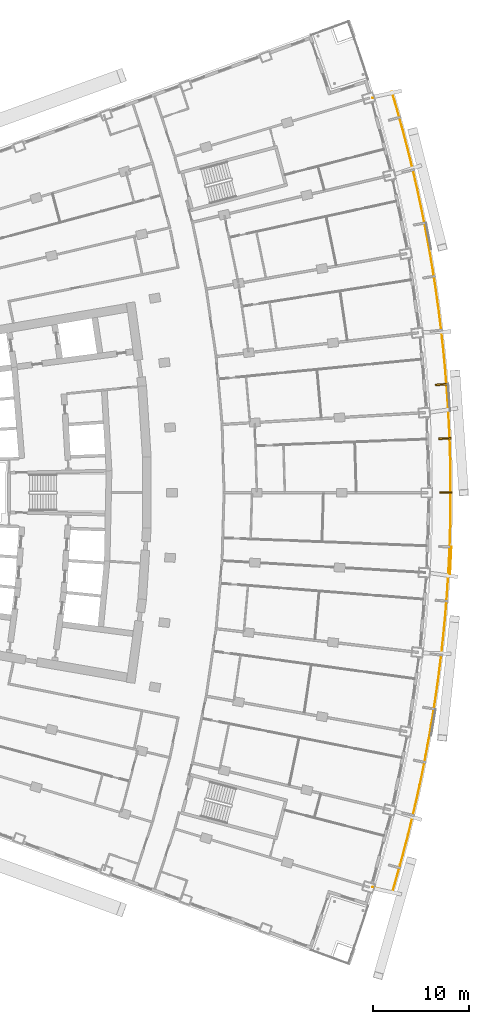
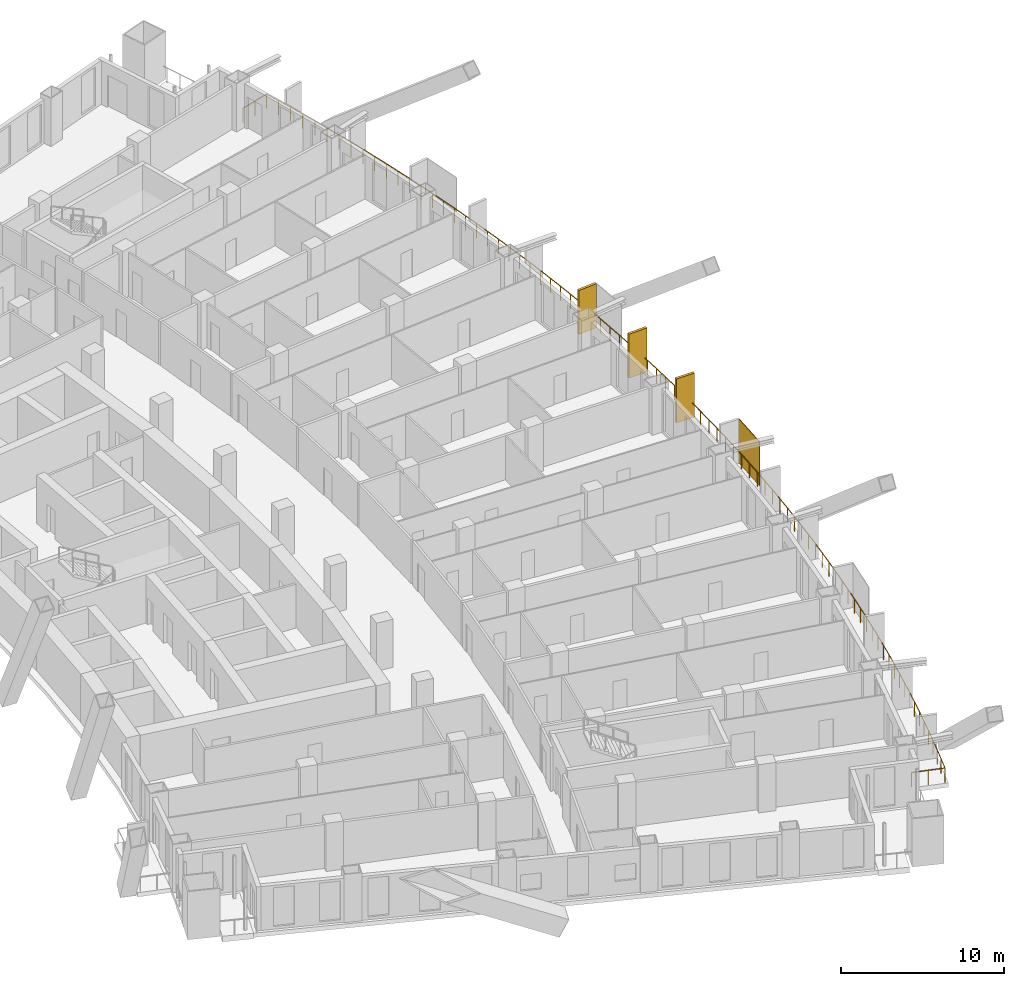
# One storey, part 24 of 25: 4 shading devices, 1 railing.
"""IFC4 building model written with IfcOpenShell, lengths in metres."""

import ifcopenshell
import ifcopenshell.guid

model = None  # the IFC model being written
_history = None  # IfcOwnerHistory: only IFC2X3 demands one
_inside = {}  # id of a spatial element -> (the spatial element, [elements in it])
_under = {}  # id of a project, library or spatial element -> (it, [spatial elements below it])
_declared = {}  # id of a project -> (the project, [libraries it declares])
_typed = {}  # id of a type object -> (the type object, [elements of that type])
_made_of = {}  # id of a material, layer set ... -> (it, [elements and type objects made of it])


def new_model(schema):
    """Start an empty IFC model of exactly this schema.

    Asked for "IFC4X3", IfcOpenShell would pick the latest addendum, in which some entities
    have other attributes; the version numbers below select the first issue.
    IFC2X3 requires an IfcOwnerHistory on every rooted entity: one is made here for all.
    """
    global model, _history
    if schema == "IFC4X3":
        model = ifcopenshell.file(schema_version=(4, 3, 0, 0))
    else:
        model = ifcopenshell.file(schema=schema)
    _inside.clear()
    _under.clear()
    _declared.clear()
    _typed.clear()
    _made_of.clear()
    _history = None
    if model.schema == "IFC2X3":
        org = make("IfcOrganization", Name="unknown")
        user = make(
            "IfcPersonAndOrganization",
            ThePerson=make("IfcPerson", FamilyName="unknown"),
            TheOrganization=org,
        )
        app = make(
            "IfcApplication",
            ApplicationDeveloper=org,
            Version="unknown",
            ApplicationFullName="unknown",
            ApplicationIdentifier="unknown",
        )
        _history = make(
            "IfcOwnerHistory",
            OwningUser=user,
            OwningApplication=app,
            ChangeAction="ADDED",
            CreationDate=0,
        )
    return model


def make(cls, **values):
    """One entity of the class cls with the attributes given. An attribute that is None is left unset."""
    return model.create_entity(
        cls, **{name: value for name, value in values.items() if value is not None}
    )


def rooted(cls, **values):
    """An entity with a GlobalId (a new one), such as an element, a storey or a relation."""
    return make(cls, GlobalId=ifcopenshell.guid.new(), OwnerHistory=_history, **values)


def si_unit(unit_type, name, prefix=None):
    """IfcSIUnit, for example si_unit("LENGTHUNIT", "METRE", prefix="MILLI")."""
    return make("IfcSIUnit", UnitType=unit_type, Prefix=prefix, Name=name)


def assignment(units):
    """IfcUnitAssignment: the units of a project."""
    return None if units is None else make("IfcUnitAssignment", Units=units)


def point(xyz):
    """IfcCartesianPoint."""
    return None if xyz is None else make("IfcCartesianPoint", Coordinates=xyz)


def direction(xyz):
    """IfcDirection."""
    return None if xyz is None else make("IfcDirection", DirectionRatios=xyz)


def frame(location, z_axis=None, x_axis=None):
    """IfcAxis2Placement3D, a coordinate frame: its origin and axes. An axis left out is left unset."""
    return make(
        "IfcAxis2Placement3D",
        Location=point(location),
        Axis=direction(z_axis),
        RefDirection=direction(x_axis),
    )


def frame_2d(location, x_axis=None):
    """IfcAxis2Placement2D, a coordinate frame in the plane: its origin and x axis."""
    return make(
        "IfcAxis2Placement2D", Location=point(location), RefDirection=direction(x_axis)
    )


def origin():
    """The frame at (0, 0, 0) with its axes left unset."""
    return frame((0.0, 0.0, 0.0))


def origin_2d():
    """The frame at (0, 0) in the plane with its x axis left unset."""
    return frame_2d((0.0, 0.0))


def place(relative_to, where):
    """IfcLocalPlacement: puts the frame where relative to a parent placement (None: the world)."""
    return make(
        "IfcLocalPlacement", PlacementRelTo=relative_to, RelativePlacement=where
    )


def context(
    kind, dimensions, precision=None, world=None, true_north=None, identifier=None
):
    """IfcGeometricRepresentationContext, for example the 3D "Model" context."""
    return make(
        "IfcGeometricRepresentationContext",
        ContextIdentifier=identifier,
        ContextType=kind,
        CoordinateSpaceDimension=dimensions,
        Precision=precision,
        WorldCoordinateSystem=world,
        TrueNorth=true_north,
    )


def subcontext(parent, identifier, kind, view, scale=None):
    """IfcGeometricRepresentationSubContext, for example "Body" below "Model"."""
    return make(
        "IfcGeometricRepresentationSubContext",
        ContextIdentifier=identifier,
        ContextType=kind,
        ParentContext=parent,
        TargetScale=scale,
        TargetView=view,
    )


def project(units=None, contexts=None):
    """IfcProject with its units and contexts."""
    return rooted(
        "IfcProject",
        Name="project",
        RepresentationContexts=contexts,
        UnitsInContext=assignment(units),
    )


def spatial(cls, under=None, at=None, **own):
    """A site, building, storey or space (cls), placed at a placement, below another one or the project."""
    s = rooted(cls, ObjectPlacement=at, **own)
    if under is not None:
        _under.setdefault(under.id(), (under, []))[1].append(s)
    return s


def profile(cls, at=None, kind="AREA", **sizes):
    """A parametric profile (cls). Its sizes go by their IFC names, for example OverallWidth=200.0."""
    return make(cls, ProfileType=kind, Position=at, **sizes)


def rectangle(**sizes):
    """IfcRectangleProfileDef."""
    return profile("IfcRectangleProfileDef", **sizes)


def extrude(swept, where, along, depth):
    """IfcExtrudedAreaSolid: the profile swept, set in the frame where, extruded along a direction by depth."""
    return make(
        "IfcExtrudedAreaSolid",
        SweptArea=swept,
        Position=where,
        ExtrudedDirection=direction(along),
        Depth=depth,
    )


def shape(context_of_items, identifier, shape_type, items):
    """IfcShapeRepresentation: the items that make up one representation, for example the "Body"."""
    return make(
        "IfcShapeRepresentation",
        ContextOfItems=context_of_items,
        RepresentationIdentifier=identifier,
        RepresentationType=shape_type,
        Items=items,
    )


def material(Name=None, Category=None):
    """IfcMaterial."""
    return make("IfcMaterial", Name=Name, Category=Category)


def layer(
    of_material, thickness, ventilated=None, Name=None, Category=None, Priority=None
):
    """IfcMaterialLayer: one layer of a wall or slab, of a material (None: an air gap)."""
    return make(
        "IfcMaterialLayer",
        Material=of_material,
        LayerThickness=thickness,
        IsVentilated=ventilated,
        Name=Name,
        Category=Category,
        Priority=Priority,
    )


def layer_set(layers, Name=None):
    """IfcMaterialLayerSet."""
    return make("IfcMaterialLayerSet", MaterialLayers=layers, LayerSetName=Name)


def made_of(thing, what):
    """Note that an element or type object is made of a material, layer set ...; save() writes the relation."""
    if what is not None:
        _made_of.setdefault(what.id(), (what, []))[1].append(thing)
    return thing


def type_object(cls, material=None, **own):
    """A type object (cls), such as IfcWallType, which elements share."""
    return made_of(rooted(cls, **own), material)


def element(
    cls,
    number,
    at=None,
    inside=None,
    cuts=None,
    type_object=None,
    material=None,
    context=None,
    identifier="Body",
    shape_type=None,
    held_by="IfcProductDefinitionShape",
    body=None,
    shapes=None,
    **own,
):
    """One element of the class cls, such as IfcWall. Its Tag is "e" and its number.

    at: its placement. inside: the storey or other place that contains it. cuts: it is an
    opening in that element (IfcRelVoidsElement). A single representation is given by context,
    identifier, shape_type and body (its items); several are given by shapes. held_by: the class
    of the entity that holds the representations. save() writes the other relations.
    """
    e = rooted(cls, Tag="e%d" % number, ObjectPlacement=at, **own)
    if body is not None:
        shapes = [shape(context, identifier, shape_type, body)]
    if shapes is not None:
        e.Representation = make(held_by, Representations=shapes)
    if inside is not None:
        _inside.setdefault(inside.id(), (inside, []))[1].append(e)
    if cuts is not None:
        rooted(
            "IfcRelVoidsElement", RelatingBuildingElement=cuts, RelatedOpeningElement=e
        )
    if type_object is not None:
        _typed.setdefault(type_object.id(), (type_object, []))[1].append(e)
    return made_of(e, material)


def aggregate(whole, parts):
    """IfcRelAggregates: a whole, such as a stair, and the parts it consists of."""
    return rooted("IfcRelAggregates", RelatingObject=whole, RelatedObjects=parts)


def save(model, path):
    """Write the relations noted so far, then the file.

    IfcRelAggregates (storeys below a building ...), IfcRelContainedInSpatialStructure (elements
    in a storey), IfcRelDefinesByType, IfcRelAssociatesMaterial and IfcRelDeclares: one each for
    every whole, place, type object, material and project.
    """
    for whole, parts in _under.values():
        aggregate(whole, parts)
    for where, things in _inside.values():
        rooted(
            "IfcRelContainedInSpatialStructure",
            RelatedElements=things,
            RelatingStructure=where,
        )
    for kind, things in _typed.values():
        rooted("IfcRelDefinesByType", RelatedObjects=things, RelatingType=kind)
    for what, things in _made_of.values():
        rooted("IfcRelAssociatesMaterial", RelatedObjects=things, RelatingMaterial=what)
    for by, libraries in _declared.values():
        rooted("IfcRelDeclares", RelatingContext=by, RelatedDefinitions=libraries)
    model.write(path)


model = new_model("IFC4")

# Units and contexts
model_context = context("Model", 3, precision=1e-05, world=origin(), true_north=direction((0.0, 1.0)))
body_context = subcontext(model_context, "Body", "Model", "MODEL_VIEW")
ifc_project = project(units=[si_unit("LENGTHUNIT", "METRE"), si_unit("AREAUNIT", "SQUARE_METRE"), si_unit("VOLUMEUNIT", "CUBIC_METRE"), si_unit("PLANEANGLEUNIT", "RADIAN"), si_unit("MASSUNIT", "GRAM", prefix="KILO")], contexts=[model_context])

# Site, building, storey
site_placement = place(None, origin())
site = spatial("IfcSite", under=ifc_project, at=site_placement, CompositionType="ELEMENT")
building_placement = place(site_placement, origin())
building = spatial("IfcBuilding", under=site, at=building_placement, Name="Alderwake Tower", CompositionType="ELEMENT")
storey_placement = place(building_placement, frame((0.0, 0.0, 64.39990234375)))
storey = spatial("IfcBuildingStorey", under=building, at=storey_placement, Name="L15", CompositionType="ELEMENT", Elevation=64.39990234375)

# Railing
ifc_material_1 = material(Name="Stainless steel 316 rail and posts", Category="steel")
railing_type = type_object("IfcRailingType", Name="Balcony guard 1100", PredefinedType="GUARDRAIL", material=ifc_material_1)
railing_placement = place(storey_placement, frame((56.605712890625, 20.08984375, 0.0)))
element("IfcRailing", 1, at=railing_placement, inside=storey, type_object=railing_type, Name="Guard BF02", PredefinedType="GUARDRAIL", context=body_context, shape_type="SweptSolid", body=[
    extrude(rectangle(XDim=0.048095703125, YDim=0.048095703125, at=origin_2d()), frame((0.0, 0.0, 1.076171875), z_axis=(0.957986128201, -0.286814536198, 0.0), x_axis=(0.286814536198, 0.957986128201, 0.0)), (0.0, 0.0, 1.0), 2.099853515625),
    extrude(rectangle(XDim=0.048095703125, YDim=0.048095703125, at=origin_2d()), frame((2.01171875, -0.602294921875, 1.076171875), z_axis=(0.280331133603, 0.959903357392, 0.0), x_axis=(-0.959903357392, 0.280331133603, 0.0)), (0.0, 0.0, 1.0), 2.010009765625),
    extrude(rectangle(XDim=0.048095703125, YDim=0.048095703125, at=origin_2d()), frame((2.5751953125, 1.3271484375, 1.076171875), z_axis=(0.266444279754, 0.963850323332, 0.0), x_axis=(-0.963850323332, 0.266444279754, 0.0)), (0.0, 0.0, 1.0), 2.110107421875),
    extrude(rectangle(XDim=0.048095703125, YDim=0.048095703125, at=origin_2d()), frame((3.137451171875, 3.361083984375, 1.076171875), z_axis=(0.252431315985, 0.96761481526, 0.0), x_axis=(-0.96761481526, 0.252431315985, 0.0)), (0.0, 0.0, 1.0), 2.1103515625),
    extrude(rectangle(XDim=0.048095703125, YDim=0.048095703125, at=origin_2d()), frame((3.670166015625, 5.403076171875, 1.076171875), z_axis=(0.238340955225, 0.971181542793, 0.0), x_axis=(-0.971181542793, 0.238340955225, 0.0)), (0.0, 0.0, 1.0), 2.110107421875),
    extrude(rectangle(XDim=0.048095703125, YDim=0.048095703125, at=origin_2d()), frame((4.173095703125, 7.452392578125, 1.076171875), z_axis=(0.224115824877, 0.974562515716, 0.0), x_axis=(-0.974562515716, 0.224115824877, 0.0)), (0.0, 0.0, 1.0), 2.110107421875),
    extrude(rectangle(XDim=0.048095703125, YDim=0.048095703125, at=origin_2d()), frame((4.64599609375, 9.5087890625, 1.076171875), z_axis=(0.209868821237, 0.977729552521, 0.0), x_axis=(-0.977729552521, 0.209868821237, 0.0)), (0.0, 0.0, 1.0), 2.110107421875),
    extrude(rectangle(XDim=0.048095703125, YDim=0.048095703125, at=origin_2d()), frame((5.0888671875, 11.572021484375, 1.076171875), z_axis=(0.195648862485, 0.980674014445, 0.0), x_axis=(-0.980674014445, 0.195648862485, 0.0)), (0.0, 0.0, 1.0), 2.110107421875),
    extrude(rectangle(XDim=0.048095703125, YDim=0.048095703125, at=origin_2d()), frame((5.501708984375, 13.641357421875, 1.076171875), z_axis=(0.181277260189, 0.983432028632, 0.0), x_axis=(-0.983432028632, 0.181277260189, 0.0)), (0.0, 0.0, 1.0), 2.1103515625),
    extrude(rectangle(XDim=0.048095703125, YDim=0.048095703125, at=origin_2d()), frame((5.88427734375, 15.716796875, 1.076171875), z_axis=(0.166950013592, 0.985965360934, 0.0), x_axis=(-0.985965360934, 0.166950013592, 0.0)), (0.0, 0.0, 1.0), 2.110107421875),
    extrude(rectangle(XDim=0.048095703125, YDim=0.048095703125, at=origin_2d()), frame((6.236572265625, 17.79736328125, 1.076171875), z_axis=(0.152491878472, 0.988304723757, 0.0), x_axis=(-0.988304723757, 0.152491878472, 0.0)), (0.0, 0.0, 1.0), 2.110107421875),
    extrude(rectangle(XDim=0.048095703125, YDim=0.048095703125, at=origin_2d()), frame((6.558349609375, 19.8828125, 1.076171875), z_axis=(0.138035026408, 0.990427347908, 0.0), x_axis=(-0.990427347908, 0.138035026408, 0.0)), (0.0, 0.0, 1.0), 2.110107421875),
    extrude(rectangle(XDim=0.048095703125, YDim=0.048095703125, at=origin_2d()), frame((6.849609375, 21.97265625, 1.076171875), z_axis=(0.123678739733, 0.992322311216, 0.0), x_axis=(-0.992322311216, 0.123678739733, 0.0)), (0.0, 0.0, 1.0), 2.110107421875),
    extrude(rectangle(XDim=0.048095703125, YDim=0.048095703125, at=origin_2d()), frame((7.110595703125, 24.066650390625, 1.076171875), z_axis=(0.109212453251, 0.99401843044, 0.0), x_axis=(-0.99401843044, 0.109212453251, 0.0)), (0.0, 0.0, 1.0), 2.1103515625),
    extrude(rectangle(XDim=0.048095703125, YDim=0.048095703125, at=origin_2d()), frame((7.341064453125, 26.164306640625, 1.076171875), z_axis=(0.094634386331, 0.99551209582, 0.0), x_axis=(-0.99551209582, 0.094634386331, 0.0)), (0.0, 0.0, 1.0), 2.1103515625),
    extrude(rectangle(XDim=0.048095703125, YDim=0.048095703125, at=origin_2d()), frame((7.540771484375, 28.26513671875, 1.076171875), z_axis=(0.080067128937, 0.996789473692, 0.0), x_axis=(-0.996789473692, 0.080067128937, 0.0)), (0.0, 0.0, 1.0), 2.110107421875),
    extrude(rectangle(XDim=0.048095703125, YDim=0.048095703125, at=origin_2d()), frame((7.709716796875, 30.368408203125, 1.076171875), z_axis=(0.065597538993, 0.99784616193, 0.0), x_axis=(-0.99784616193, 0.065597538993, 0.0)), (0.0, 0.0, 1.0), 2.1103515625),
    extrude(rectangle(XDim=0.048095703125, YDim=0.048095703125, at=origin_2d()), frame((7.84814453125, 32.47412109375, 1.076171875), z_axis=(0.051022428276, 0.998697507663, 0.0), x_axis=(-0.998697507663, 0.051022428276, 0.0)), (0.0, 0.0, 1.0), 2.110107421875),
    extrude(rectangle(XDim=0.048095703125, YDim=0.048095703125, at=origin_2d()), frame((7.955810546875, 34.58154296875, 1.076171875), z_axis=(0.036442551647, 0.9993357496, 0.0), x_axis=(-0.9993357496, 0.036442551647, 0.0)), (0.0, 0.0, 1.0), 2.1103515625),
    extrude(rectangle(XDim=0.048095703125, YDim=0.048095703125, at=origin_2d()), frame((8.03271484375, 36.6904296875, 1.076171875), z_axis=(0.021867238393, 0.999760883354, 0.0), x_axis=(-0.999760883354, 0.021867238393, 0.0)), (0.0, 0.0, 1.0), 2.110107421875),
    extrude(rectangle(XDim=0.048095703125, YDim=0.048095703125, at=origin_2d()), frame((8.078857421875, 38.800048828125, 1.076171875), z_axis=(0.007288942083, 0.999973435309, 0.0), x_axis=(-0.999973435309, 0.007288942083, 0.0)), (0.0, 0.0, 1.0), 2.110107421875),
    extrude(rectangle(XDim=0.048095703125, YDim=0.048095703125, at=origin_2d()), frame((8.09423828125, 40.91015625, 1.076171875), z_axis=(-0.007288942083, 0.999973435309, 0.0), x_axis=(-0.999973435309, -0.007288942083, 0.0)), (0.0, 0.0, 1.0), 2.110107421875),
    extrude(rectangle(XDim=0.048095703125, YDim=0.048095703125, at=origin_2d()), frame((8.078857421875, 43.020263671875, 1.076171875), z_axis=(-0.021867238393, 0.999760883354, 0.0), x_axis=(-0.999760883354, -0.021867238393, 0.0)), (0.0, 0.0, 1.0), 2.110107421875),
    extrude(rectangle(XDim=0.048095703125, YDim=0.048095703125, at=origin_2d()), frame((8.03271484375, 45.1298828125, 1.076171875), z_axis=(-0.036442551647, 0.9993357496, 0.0), x_axis=(-0.9993357496, -0.036442551647, 0.0)), (0.0, 0.0, 1.0), 2.1103515625),
    extrude(rectangle(XDim=0.048095703125, YDim=0.048095703125, at=origin_2d()), frame((7.955810546875, 47.23876953125, 1.076171875), z_axis=(-0.051022428276, 0.998697507663, 0.0), x_axis=(-0.998697507663, -0.051022428276, 0.0)), (0.0, 0.0, 1.0), 2.110107421875),
    extrude(rectangle(XDim=0.048095703125, YDim=0.048095703125, at=origin_2d()), frame((7.84814453125, 49.34619140625, 1.076171875), z_axis=(-0.065597538993, 0.99784616193, 0.0), x_axis=(-0.99784616193, -0.065597538993, 0.0)), (0.0, 0.0, 1.0), 2.1103515625),
    extrude(rectangle(XDim=0.048095703125, YDim=0.048095703125, at=origin_2d()), frame((7.709716796875, 51.451904296875, 1.076171875), z_axis=(-0.080067128937, 0.996789473692, 0.0), x_axis=(-0.996789473692, -0.080067128937, 0.0)), (0.0, 0.0, 1.0), 2.110107421875),
    extrude(rectangle(XDim=0.048095703125, YDim=0.048095703125, at=origin_2d()), frame((7.540771484375, 53.55517578125, 1.076171875), z_axis=(-0.094634386331, 0.99551209582, 0.0), x_axis=(-0.99551209582, -0.094634386331, 0.0)), (0.0, 0.0, 1.0), 2.1103515625),
    extrude(rectangle(XDim=0.048095703125, YDim=0.048095703125, at=origin_2d()), frame((7.341064453125, 55.656005859375, 1.076171875), z_axis=(-0.109212453251, 0.99401843044, 0.0), x_axis=(-0.99401843044, -0.109212453251, 0.0)), (0.0, 0.0, 1.0), 2.1103515625),
    extrude(rectangle(XDim=0.048095703125, YDim=0.048095703125, at=origin_2d()), frame((7.110595703125, 57.753662109375, 1.076171875), z_axis=(-0.123678739733, 0.992322311216, 0.0), x_axis=(-0.992322311216, -0.123678739733, 0.0)), (0.0, 0.0, 1.0), 2.110107421875),
    extrude(rectangle(XDim=0.048095703125, YDim=0.048095703125, at=origin_2d()), frame((6.849609375, 59.84765625, 1.076171875), z_axis=(-0.138035026408, 0.990427347908, 0.0), x_axis=(-0.990427347908, -0.138035026408, 0.0)), (0.0, 0.0, 1.0), 2.110107421875),
    extrude(rectangle(XDim=0.048095703125, YDim=0.048095703125, at=origin_2d()), frame((6.558349609375, 61.9375, 1.076171875), z_axis=(-0.152491878472, 0.988304723757, 0.0), x_axis=(-0.988304723757, -0.152491878472, 0.0)), (0.0, 0.0, 1.0), 2.110107421875),
    extrude(rectangle(XDim=0.048095703125, YDim=0.048095703125, at=origin_2d()), frame((6.236572265625, 64.02294921875, 1.076171875), z_axis=(-0.166950013592, 0.985965360934, 0.0), x_axis=(-0.985965360934, -0.166950013592, 0.0)), (0.0, 0.0, 1.0), 2.110107421875),
    extrude(rectangle(XDim=0.048095703125, YDim=0.048095703125, at=origin_2d()), frame((5.88427734375, 66.103515625, 1.076171875), z_axis=(-0.181277260189, 0.983432028632, 0.0), x_axis=(-0.983432028632, -0.181277260189, 0.0)), (0.0, 0.0, 1.0), 2.1103515625),
    extrude(rectangle(XDim=0.048095703125, YDim=0.048095703125, at=origin_2d()), frame((5.501708984375, 68.178955078125, 1.076171875), z_axis=(-0.195648862485, 0.980674014445, 0.0), x_axis=(-0.980674014445, -0.195648862485, 0.0)), (0.0, 0.0, 1.0), 2.110107421875),
    extrude(rectangle(XDim=0.048095703125, YDim=0.048095703125, at=origin_2d()), frame((5.0888671875, 70.248291015625, 1.076171875), z_axis=(-0.209868821237, 0.977729552521, 0.0), x_axis=(-0.977729552521, -0.209868821237, 0.0)), (0.0, 0.0, 1.0), 2.110107421875),
    extrude(rectangle(XDim=0.048095703125, YDim=0.048095703125, at=origin_2d()), frame((4.64599609375, 72.3115234375, 1.076171875), z_axis=(-0.224115824877, 0.974562515716, 0.0), x_axis=(-0.974562515716, -0.224115824877, 0.0)), (0.0, 0.0, 1.0), 2.110107421875),
    extrude(rectangle(XDim=0.048095703125, YDim=0.048095703125, at=origin_2d()), frame((4.173095703125, 74.367919921875, 1.076171875), z_axis=(-0.238340955225, 0.971181542793, 0.0), x_axis=(-0.971181542793, -0.238340955225, 0.0)), (0.0, 0.0, 1.0), 2.110107421875),
    extrude(rectangle(XDim=0.048095703125, YDim=0.048095703125, at=origin_2d()), frame((3.670166015625, 76.417236328125, 1.076171875), z_axis=(-0.252431315985, 0.96761481526, 0.0), x_axis=(-0.96761481526, -0.252431315985, 0.0)), (0.0, 0.0, 1.0), 2.1103515625),
    extrude(rectangle(XDim=0.048095703125, YDim=0.048095703125, at=origin_2d()), frame((3.137451171875, 78.459228515625, 1.076171875), z_axis=(-0.266444279754, 0.963850323332, 0.0), x_axis=(-0.963850323332, -0.266444279754, 0.0)), (0.0, 0.0, 1.0), 2.110107421875),
    extrude(rectangle(XDim=0.048095703125, YDim=0.048095703125, at=origin_2d()), frame((2.5751953125, 80.4931640625, 1.076171875), z_axis=(-0.280331133603, 0.959903357392, 0.0), x_axis=(-0.959903357392, -0.280331133603, 0.0)), (0.0, 0.0, 1.0), 2.010009765625),
    extrude(rectangle(XDim=0.048095703125, YDim=0.048095703125, at=origin_2d()), frame((2.01171875, 82.422607421875, 1.076171875), z_axis=(-0.957986128201, -0.286814536198, 0.0), x_axis=(0.286814536198, -0.957986128201, 0.0)), (0.0, 0.0, 1.0), 2.099853515625),
    extrude(rectangle(XDim=0.0419921875, YDim=0.0419921875, at=origin_2d()), frame((0.0, 0.0, 0.0), z_axis=(0.0, 0.0, 1.0), x_axis=(0.957986128201, -0.286814536198, 0.0)), (0.0, 0.0, 1.0), 1.052001953125),
    extrude(rectangle(XDim=0.0419921875, YDim=0.0419921875, at=origin_2d()), frame((1.005859375, -0.30126953125, 0.0), z_axis=(0.0, 0.0, 1.0), x_axis=(0.957986128201, -0.286814536198, 0.0)), (0.0, 0.0, 1.0), 1.052001953125),
    extrude(rectangle(XDim=0.0419921875, YDim=0.0419921875, at=origin_2d()), frame((2.01171875, -0.602294921875, 0.0), z_axis=(0.0, 0.0, 1.0), x_axis=(0.280331133603, 0.959903357392, 0.0)), (0.0, 0.0, 1.0), 1.052001953125),
    extrude(rectangle(XDim=0.0419921875, YDim=0.0419921875, at=origin_2d()), frame((2.29345703125, 0.3623046875, 0.0), z_axis=(0.0, 0.0, 1.0), x_axis=(0.280331133603, 0.959903357392, 0.0)), (0.0, 0.0, 1.0), 1.052001953125),
    extrude(rectangle(XDim=0.0419921875, YDim=0.0419921875, at=origin_2d()), frame((2.5751953125, 1.3271484375, 0.0), z_axis=(0.0, 0.0, 1.0), x_axis=(0.266444279754, 0.963850323332, 0.0)), (0.0, 0.0, 1.0), 1.052001953125),
    extrude(rectangle(XDim=0.0419921875, YDim=0.0419921875, at=origin_2d()), frame((2.8564453125, 2.34423828125, 0.0), z_axis=(0.0, 0.0, 1.0), x_axis=(0.266444279754, 0.963850323332, 0.0)), (0.0, 0.0, 1.0), 1.052001953125),
    extrude(rectangle(XDim=0.0419921875, YDim=0.0419921875, at=origin_2d()), frame((3.137451171875, 3.361083984375, 0.0), z_axis=(0.0, 0.0, 1.0), x_axis=(0.252431315985, 0.96761481526, 0.0)), (0.0, 0.0, 1.0), 1.052001953125),
    extrude(rectangle(XDim=0.0419921875, YDim=0.0419921875, at=origin_2d()), frame((3.40380859375, 4.382080078125, 0.0), z_axis=(0.0, 0.0, 1.0), x_axis=(0.252431315985, 0.96761481526, 0.0)), (0.0, 0.0, 1.0), 1.052001953125),
    extrude(rectangle(XDim=0.0419921875, YDim=0.0419921875, at=origin_2d()), frame((3.670166015625, 5.403076171875, 0.0), z_axis=(0.0, 0.0, 1.0), x_axis=(0.238340955225, 0.971181542793, 0.0)), (0.0, 0.0, 1.0), 1.052001953125),
    extrude(rectangle(XDim=0.0419921875, YDim=0.0419921875, at=origin_2d()), frame((3.921630859375, 6.427734375, 0.0), z_axis=(0.0, 0.0, 1.0), x_axis=(0.238340955225, 0.971181542793, 0.0)), (0.0, 0.0, 1.0), 1.052001953125),
    extrude(rectangle(XDim=0.0419921875, YDim=0.0419921875, at=origin_2d()), frame((4.173095703125, 7.452392578125, 0.0), z_axis=(0.0, 0.0, 1.0), x_axis=(0.224115824877, 0.974562515716, 0.0)), (0.0, 0.0, 1.0), 1.052001953125),
    extrude(rectangle(XDim=0.0419921875, YDim=0.0419921875, at=origin_2d()), frame((4.40966796875, 8.48046875, 0.0), z_axis=(0.0, 0.0, 1.0), x_axis=(0.224115824877, 0.974562515716, 0.0)), (0.0, 0.0, 1.0), 1.052001953125),
    extrude(rectangle(XDim=0.0419921875, YDim=0.0419921875, at=origin_2d()), frame((4.64599609375, 9.5087890625, 0.0), z_axis=(0.0, 0.0, 1.0), x_axis=(0.209868821237, 0.977729552521, 0.0)), (0.0, 0.0, 1.0), 1.052001953125),
    extrude(rectangle(XDim=0.0419921875, YDim=0.0419921875, at=origin_2d()), frame((4.867431640625, 10.54052734375, 0.0), z_axis=(0.0, 0.0, 1.0), x_axis=(0.209868821237, 0.977729552521, 0.0)), (0.0, 0.0, 1.0), 1.052001953125),
    extrude(rectangle(XDim=0.0419921875, YDim=0.0419921875, at=origin_2d()), frame((5.0888671875, 11.572021484375, 0.0), z_axis=(0.0, 0.0, 1.0), x_axis=(0.195648862485, 0.980674014445, 0.0)), (0.0, 0.0, 1.0), 1.052001953125),
    extrude(rectangle(XDim=0.0419921875, YDim=0.0419921875, at=origin_2d()), frame((5.29541015625, 12.606689453125, 0.0), z_axis=(0.0, 0.0, 1.0), x_axis=(0.195648862485, 0.980674014445, 0.0)), (0.0, 0.0, 1.0), 1.052001953125),
    extrude(rectangle(XDim=0.0419921875, YDim=0.0419921875, at=origin_2d()), frame((5.501708984375, 13.641357421875, 0.0), z_axis=(0.0, 0.0, 1.0), x_axis=(0.181277260189, 0.983432028632, 0.0)), (0.0, 0.0, 1.0), 1.052001953125),
    extrude(rectangle(XDim=0.0419921875, YDim=0.0419921875, at=origin_2d()), frame((5.69287109375, 14.67919921875, 0.0), z_axis=(0.0, 0.0, 1.0), x_axis=(0.181277260189, 0.983432028632, 0.0)), (0.0, 0.0, 1.0), 1.052001953125),
    extrude(rectangle(XDim=0.0419921875, YDim=0.0419921875, at=origin_2d()), frame((5.88427734375, 15.716796875, 0.0), z_axis=(0.0, 0.0, 1.0), x_axis=(0.166950013592, 0.985965360934, 0.0)), (0.0, 0.0, 1.0), 1.052001953125),
    extrude(rectangle(XDim=0.0419921875, YDim=0.0419921875, at=origin_2d()), frame((6.060546875, 16.757080078125, 0.0), z_axis=(0.0, 0.0, 1.0), x_axis=(0.166950013592, 0.985965360934, 0.0)), (0.0, 0.0, 1.0), 1.052001953125),
    extrude(rectangle(XDim=0.0419921875, YDim=0.0419921875, at=origin_2d()), frame((6.236572265625, 17.79736328125, 0.0), z_axis=(0.0, 0.0, 1.0), x_axis=(0.152491878472, 0.988304723757, 0.0)), (0.0, 0.0, 1.0), 1.052001953125),
    extrude(rectangle(XDim=0.0419921875, YDim=0.0419921875, at=origin_2d()), frame((6.3974609375, 18.840087890625, 0.0), z_axis=(0.0, 0.0, 1.0), x_axis=(0.152491878472, 0.988304723757, 0.0)), (0.0, 0.0, 1.0), 1.052001953125),
    extrude(rectangle(XDim=0.0419921875, YDim=0.0419921875, at=origin_2d()), frame((6.558349609375, 19.8828125, 0.0), z_axis=(0.0, 0.0, 1.0), x_axis=(0.138035026408, 0.990427347908, 0.0)), (0.0, 0.0, 1.0), 1.052001953125),
    extrude(rectangle(XDim=0.0419921875, YDim=0.0419921875, at=origin_2d()), frame((6.7041015625, 20.927734375, 0.0), z_axis=(0.0, 0.0, 1.0), x_axis=(0.138035026408, 0.990427347908, 0.0)), (0.0, 0.0, 1.0), 1.052001953125),
    extrude(rectangle(XDim=0.0419921875, YDim=0.0419921875, at=origin_2d()), frame((6.849609375, 21.97265625, 0.0), z_axis=(0.0, 0.0, 1.0), x_axis=(0.123678739733, 0.992322311216, 0.0)), (0.0, 0.0, 1.0), 1.052001953125),
    extrude(rectangle(XDim=0.0419921875, YDim=0.0419921875, at=origin_2d()), frame((6.97998046875, 23.01953125, 0.0), z_axis=(0.0, 0.0, 1.0), x_axis=(0.123678739733, 0.992322311216, 0.0)), (0.0, 0.0, 1.0), 1.052001953125),
    extrude(rectangle(XDim=0.0419921875, YDim=0.0419921875, at=origin_2d()), frame((7.110595703125, 24.066650390625, 0.0), z_axis=(0.0, 0.0, 1.0), x_axis=(0.109212453251, 0.99401843044, 0.0)), (0.0, 0.0, 1.0), 1.052001953125),
    extrude(rectangle(XDim=0.0419921875, YDim=0.0419921875, at=origin_2d()), frame((7.225830078125, 25.115478515625, 0.0), z_axis=(0.0, 0.0, 1.0), x_axis=(0.109212453251, 0.99401843044, 0.0)), (0.0, 0.0, 1.0), 1.052001953125),
    extrude(rectangle(XDim=0.0419921875, YDim=0.0419921875, at=origin_2d()), frame((7.341064453125, 26.164306640625, 0.0), z_axis=(0.0, 0.0, 1.0), x_axis=(0.094634386331, 0.99551209582, 0.0)), (0.0, 0.0, 1.0), 1.052001953125),
    extrude(rectangle(XDim=0.0419921875, YDim=0.0419921875, at=origin_2d()), frame((7.44091796875, 27.21484375, 0.0), z_axis=(0.0, 0.0, 1.0), x_axis=(0.094634386331, 0.99551209582, 0.0)), (0.0, 0.0, 1.0), 1.052001953125),
    extrude(rectangle(XDim=0.0419921875, YDim=0.0419921875, at=origin_2d()), frame((7.540771484375, 28.26513671875, 0.0), z_axis=(0.0, 0.0, 1.0), x_axis=(0.080067128937, 0.996789473692, 0.0)), (0.0, 0.0, 1.0), 1.052001953125),
    extrude(rectangle(XDim=0.0419921875, YDim=0.0419921875, at=origin_2d()), frame((7.625244140625, 29.31689453125, 0.0), z_axis=(0.0, 0.0, 1.0), x_axis=(0.080067128937, 0.996789473692, 0.0)), (0.0, 0.0, 1.0), 1.052001953125),
    extrude(rectangle(XDim=0.0419921875, YDim=0.0419921875, at=origin_2d()), frame((7.709716796875, 30.368408203125, 0.0), z_axis=(0.0, 0.0, 1.0), x_axis=(0.065597538993, 0.99784616193, 0.0)), (0.0, 0.0, 1.0), 1.052001953125),
    extrude(rectangle(XDim=0.0419921875, YDim=0.0419921875, at=origin_2d()), frame((7.77880859375, 31.42138671875, 0.0), z_axis=(0.0, 0.0, 1.0), x_axis=(0.065597538993, 0.99784616193, 0.0)), (0.0, 0.0, 1.0), 1.052001953125),
    extrude(rectangle(XDim=0.0419921875, YDim=0.0419921875, at=origin_2d()), frame((7.84814453125, 32.47412109375, 0.0), z_axis=(0.0, 0.0, 1.0), x_axis=(0.051022428276, 0.998697507663, 0.0)), (0.0, 0.0, 1.0), 1.052001953125),
    extrude(rectangle(XDim=0.0419921875, YDim=0.0419921875, at=origin_2d()), frame((7.90185546875, 33.52783203125, 0.0), z_axis=(0.0, 0.0, 1.0), x_axis=(0.051022428276, 0.998697507663, 0.0)), (0.0, 0.0, 1.0), 1.052001953125),
    extrude(rectangle(XDim=0.0419921875, YDim=0.0419921875, at=origin_2d()), frame((7.955810546875, 34.58154296875, 0.0), z_axis=(0.0, 0.0, 1.0), x_axis=(0.036442551647, 0.9993357496, 0.0)), (0.0, 0.0, 1.0), 1.052001953125),
    extrude(rectangle(XDim=0.0419921875, YDim=0.0419921875, at=origin_2d()), frame((7.994140625, 35.635986328125, 0.0), z_axis=(0.0, 0.0, 1.0), x_axis=(0.036442551647, 0.9993357496, 0.0)), (0.0, 0.0, 1.0), 1.052001953125),
    extrude(rectangle(XDim=0.0419921875, YDim=0.0419921875, at=origin_2d()), frame((8.03271484375, 36.6904296875, 0.0), z_axis=(0.0, 0.0, 1.0), x_axis=(0.021867238393, 0.999760883354, 0.0)), (0.0, 0.0, 1.0), 1.052001953125),
    extrude(rectangle(XDim=0.0419921875, YDim=0.0419921875, at=origin_2d()), frame((8.0556640625, 37.7451171875, 0.0), z_axis=(0.0, 0.0, 1.0), x_axis=(0.021867238393, 0.999760883354, 0.0)), (0.0, 0.0, 1.0), 1.052001953125),
    extrude(rectangle(XDim=0.0419921875, YDim=0.0419921875, at=origin_2d()), frame((8.078857421875, 38.800048828125, 0.0), z_axis=(0.0, 0.0, 1.0), x_axis=(0.007288942083, 0.999973435309, 0.0)), (0.0, 0.0, 1.0), 1.052001953125),
    extrude(rectangle(XDim=0.0419921875, YDim=0.0419921875, at=origin_2d()), frame((8.08642578125, 39.85498046875, 0.0), z_axis=(0.0, 0.0, 1.0), x_axis=(0.007288942083, 0.999973435309, 0.0)), (0.0, 0.0, 1.0), 1.052001953125),
    extrude(rectangle(XDim=0.0419921875, YDim=0.0419921875, at=origin_2d()), frame((8.09423828125, 40.91015625, 0.0), z_axis=(0.0, 0.0, 1.0), x_axis=(-0.007288942083, 0.999973435309, 0.0)), (0.0, 0.0, 1.0), 1.052001953125),
    extrude(rectangle(XDim=0.0419921875, YDim=0.0419921875, at=origin_2d()), frame((8.08642578125, 41.96533203125, 0.0), z_axis=(0.0, 0.0, 1.0), x_axis=(-0.007288942083, 0.999973435309, 0.0)), (0.0, 0.0, 1.0), 1.052001953125),
    extrude(rectangle(XDim=0.0419921875, YDim=0.0419921875, at=origin_2d()), frame((8.078857421875, 43.020263671875, 0.0), z_axis=(0.0, 0.0, 1.0), x_axis=(-0.021867238393, 0.999760883354, 0.0)), (0.0, 0.0, 1.0), 1.052001953125),
    extrude(rectangle(XDim=0.0419921875, YDim=0.0419921875, at=origin_2d()), frame((8.0556640625, 44.0751953125, 0.0), z_axis=(0.0, 0.0, 1.0), x_axis=(-0.021867238393, 0.999760883354, 0.0)), (0.0, 0.0, 1.0), 1.052001953125),
    extrude(rectangle(XDim=0.0419921875, YDim=0.0419921875, at=origin_2d()), frame((8.03271484375, 45.1298828125, 0.0), z_axis=(0.0, 0.0, 1.0), x_axis=(-0.036442551647, 0.9993357496, 0.0)), (0.0, 0.0, 1.0), 1.052001953125),
    extrude(rectangle(XDim=0.0419921875, YDim=0.0419921875, at=origin_2d()), frame((7.994140625, 46.184326171875, 0.0), z_axis=(0.0, 0.0, 1.0), x_axis=(-0.036442551647, 0.9993357496, 0.0)), (0.0, 0.0, 1.0), 1.052001953125),
    extrude(rectangle(XDim=0.0419921875, YDim=0.0419921875, at=origin_2d()), frame((7.955810546875, 47.23876953125, 0.0), z_axis=(0.0, 0.0, 1.0), x_axis=(-0.051022428276, 0.998697507663, 0.0)), (0.0, 0.0, 1.0), 1.052001953125),
    extrude(rectangle(XDim=0.0419921875, YDim=0.0419921875, at=origin_2d()), frame((7.90185546875, 48.29248046875, 0.0), z_axis=(0.0, 0.0, 1.0), x_axis=(-0.051022428276, 0.998697507663, 0.0)), (0.0, 0.0, 1.0), 1.052001953125),
    extrude(rectangle(XDim=0.0419921875, YDim=0.0419921875, at=origin_2d()), frame((7.84814453125, 49.34619140625, 0.0), z_axis=(0.0, 0.0, 1.0), x_axis=(-0.065597538993, 0.99784616193, 0.0)), (0.0, 0.0, 1.0), 1.052001953125),
    extrude(rectangle(XDim=0.0419921875, YDim=0.0419921875, at=origin_2d()), frame((7.77880859375, 50.39892578125, 0.0), z_axis=(0.0, 0.0, 1.0), x_axis=(-0.065597538993, 0.99784616193, 0.0)), (0.0, 0.0, 1.0), 1.052001953125),
    extrude(rectangle(XDim=0.0419921875, YDim=0.0419921875, at=origin_2d()), frame((7.709716796875, 51.451904296875, 0.0), z_axis=(0.0, 0.0, 1.0), x_axis=(-0.080067128937, 0.996789473692, 0.0)), (0.0, 0.0, 1.0), 1.052001953125),
    extrude(rectangle(XDim=0.0419921875, YDim=0.0419921875, at=origin_2d()), frame((7.625244140625, 52.50341796875, 0.0), z_axis=(0.0, 0.0, 1.0), x_axis=(-0.080067128937, 0.996789473692, 0.0)), (0.0, 0.0, 1.0), 1.052001953125),
    extrude(rectangle(XDim=0.0419921875, YDim=0.0419921875, at=origin_2d()), frame((7.540771484375, 53.55517578125, 0.0), z_axis=(0.0, 0.0, 1.0), x_axis=(-0.094634386331, 0.99551209582, 0.0)), (0.0, 0.0, 1.0), 1.052001953125),
    extrude(rectangle(XDim=0.0419921875, YDim=0.0419921875, at=origin_2d()), frame((7.44091796875, 54.60546875, 0.0), z_axis=(0.0, 0.0, 1.0), x_axis=(-0.094634386331, 0.99551209582, 0.0)), (0.0, 0.0, 1.0), 1.052001953125),
    extrude(rectangle(XDim=0.0419921875, YDim=0.0419921875, at=origin_2d()), frame((7.341064453125, 55.656005859375, 0.0), z_axis=(0.0, 0.0, 1.0), x_axis=(-0.109212453251, 0.99401843044, 0.0)), (0.0, 0.0, 1.0), 1.052001953125),
    extrude(rectangle(XDim=0.0419921875, YDim=0.0419921875, at=origin_2d()), frame((7.225830078125, 56.704833984375, 0.0), z_axis=(0.0, 0.0, 1.0), x_axis=(-0.109212453251, 0.99401843044, 0.0)), (0.0, 0.0, 1.0), 1.052001953125),
    extrude(rectangle(XDim=0.0419921875, YDim=0.0419921875, at=origin_2d()), frame((7.110595703125, 57.753662109375, 0.0), z_axis=(0.0, 0.0, 1.0), x_axis=(-0.123678739733, 0.992322311216, 0.0)), (0.0, 0.0, 1.0), 1.052001953125),
    extrude(rectangle(XDim=0.0419921875, YDim=0.0419921875, at=origin_2d()), frame((6.97998046875, 58.80078125, 0.0), z_axis=(0.0, 0.0, 1.0), x_axis=(-0.123678739733, 0.992322311216, 0.0)), (0.0, 0.0, 1.0), 1.052001953125),
    extrude(rectangle(XDim=0.0419921875, YDim=0.0419921875, at=origin_2d()), frame((6.849609375, 59.84765625, 0.0), z_axis=(0.0, 0.0, 1.0), x_axis=(-0.138035026408, 0.990427347908, 0.0)), (0.0, 0.0, 1.0), 1.052001953125),
    extrude(rectangle(XDim=0.0419921875, YDim=0.0419921875, at=origin_2d()), frame((6.7041015625, 60.892578125, 0.0), z_axis=(0.0, 0.0, 1.0), x_axis=(-0.138035026408, 0.990427347908, 0.0)), (0.0, 0.0, 1.0), 1.052001953125),
    extrude(rectangle(XDim=0.0419921875, YDim=0.0419921875, at=origin_2d()), frame((6.558349609375, 61.9375, 0.0), z_axis=(0.0, 0.0, 1.0), x_axis=(-0.152491878472, 0.988304723757, 0.0)), (0.0, 0.0, 1.0), 1.052001953125),
    extrude(rectangle(XDim=0.0419921875, YDim=0.0419921875, at=origin_2d()), frame((6.3974609375, 62.980224609375, 0.0), z_axis=(0.0, 0.0, 1.0), x_axis=(-0.152491878472, 0.988304723757, 0.0)), (0.0, 0.0, 1.0), 1.052001953125),
    extrude(rectangle(XDim=0.0419921875, YDim=0.0419921875, at=origin_2d()), frame((6.236572265625, 64.02294921875, 0.0), z_axis=(0.0, 0.0, 1.0), x_axis=(-0.166950013592, 0.985965360934, 0.0)), (0.0, 0.0, 1.0), 1.052001953125),
    extrude(rectangle(XDim=0.0419921875, YDim=0.0419921875, at=origin_2d()), frame((6.060546875, 65.063232421875, 0.0), z_axis=(0.0, 0.0, 1.0), x_axis=(-0.166950013592, 0.985965360934, 0.0)), (0.0, 0.0, 1.0), 1.052001953125),
    extrude(rectangle(XDim=0.0419921875, YDim=0.0419921875, at=origin_2d()), frame((5.88427734375, 66.103515625, 0.0), z_axis=(0.0, 0.0, 1.0), x_axis=(-0.181277260189, 0.983432028632, 0.0)), (0.0, 0.0, 1.0), 1.052001953125),
    extrude(rectangle(XDim=0.0419921875, YDim=0.0419921875, at=origin_2d()), frame((5.69287109375, 67.14111328125, 0.0), z_axis=(0.0, 0.0, 1.0), x_axis=(-0.181277260189, 0.983432028632, 0.0)), (0.0, 0.0, 1.0), 1.052001953125),
    extrude(rectangle(XDim=0.0419921875, YDim=0.0419921875, at=origin_2d()), frame((5.501708984375, 68.178955078125, 0.0), z_axis=(0.0, 0.0, 1.0), x_axis=(-0.195648862485, 0.980674014445, 0.0)), (0.0, 0.0, 1.0), 1.052001953125),
    extrude(rectangle(XDim=0.0419921875, YDim=0.0419921875, at=origin_2d()), frame((5.29541015625, 69.213623046875, 0.0), z_axis=(0.0, 0.0, 1.0), x_axis=(-0.195648862485, 0.980674014445, 0.0)), (0.0, 0.0, 1.0), 1.052001953125),
    extrude(rectangle(XDim=0.0419921875, YDim=0.0419921875, at=origin_2d()), frame((5.0888671875, 70.248291015625, 0.0), z_axis=(0.0, 0.0, 1.0), x_axis=(-0.209868821237, 0.977729552521, 0.0)), (0.0, 0.0, 1.0), 1.052001953125),
    extrude(rectangle(XDim=0.0419921875, YDim=0.0419921875, at=origin_2d()), frame((4.867431640625, 71.27978515625, 0.0), z_axis=(0.0, 0.0, 1.0), x_axis=(-0.209868821237, 0.977729552521, 0.0)), (0.0, 0.0, 1.0), 1.052001953125),
    extrude(rectangle(XDim=0.0419921875, YDim=0.0419921875, at=origin_2d()), frame((4.64599609375, 72.3115234375, 0.0), z_axis=(0.0, 0.0, 1.0), x_axis=(-0.224115824877, 0.974562515716, 0.0)), (0.0, 0.0, 1.0), 1.052001953125),
    extrude(rectangle(XDim=0.0419921875, YDim=0.0419921875, at=origin_2d()), frame((4.40966796875, 73.33984375, 0.0), z_axis=(0.0, 0.0, 1.0), x_axis=(-0.224115824877, 0.974562515716, 0.0)), (0.0, 0.0, 1.0), 1.052001953125),
    extrude(rectangle(XDim=0.0419921875, YDim=0.0419921875, at=origin_2d()), frame((4.173095703125, 74.367919921875, 0.0), z_axis=(0.0, 0.0, 1.0), x_axis=(-0.238340955225, 0.971181542793, 0.0)), (0.0, 0.0, 1.0), 1.052001953125),
    extrude(rectangle(XDim=0.0419921875, YDim=0.0419921875, at=origin_2d()), frame((3.921630859375, 75.392578125, 0.0), z_axis=(0.0, 0.0, 1.0), x_axis=(-0.238340955225, 0.971181542793, 0.0)), (0.0, 0.0, 1.0), 1.052001953125),
    extrude(rectangle(XDim=0.0419921875, YDim=0.0419921875, at=origin_2d()), frame((3.670166015625, 76.417236328125, 0.0), z_axis=(0.0, 0.0, 1.0), x_axis=(-0.252431315985, 0.96761481526, 0.0)), (0.0, 0.0, 1.0), 1.052001953125),
    extrude(rectangle(XDim=0.0419921875, YDim=0.0419921875, at=origin_2d()), frame((3.40380859375, 77.438232421875, 0.0), z_axis=(0.0, 0.0, 1.0), x_axis=(-0.252431315985, 0.96761481526, 0.0)), (0.0, 0.0, 1.0), 1.052001953125),
    extrude(rectangle(XDim=0.0419921875, YDim=0.0419921875, at=origin_2d()), frame((3.137451171875, 78.459228515625, 0.0), z_axis=(0.0, 0.0, 1.0), x_axis=(-0.266444279754, 0.963850323332, 0.0)), (0.0, 0.0, 1.0), 1.052001953125),
    extrude(rectangle(XDim=0.0419921875, YDim=0.0419921875, at=origin_2d()), frame((2.8564453125, 79.47607421875, 0.0), z_axis=(0.0, 0.0, 1.0), x_axis=(-0.266444279754, 0.963850323332, 0.0)), (0.0, 0.0, 1.0), 1.052001953125),
    extrude(rectangle(XDim=0.0419921875, YDim=0.0419921875, at=origin_2d()), frame((2.5751953125, 80.4931640625, 0.0), z_axis=(0.0, 0.0, 1.0), x_axis=(-0.280331133603, 0.959903357392, 0.0)), (0.0, 0.0, 1.0), 1.052001953125),
    extrude(rectangle(XDim=0.0419921875, YDim=0.0419921875, at=origin_2d()), frame((2.29345703125, 81.4580078125, 0.0), z_axis=(0.0, 0.0, 1.0), x_axis=(-0.280331133603, 0.959903357392, 0.0)), (0.0, 0.0, 1.0), 1.052001953125),
    extrude(rectangle(XDim=0.0419921875, YDim=0.0419921875, at=origin_2d()), frame((2.01171875, 82.422607421875, 0.0), z_axis=(0.0, 0.0, 1.0), x_axis=(-0.957986128201, -0.286814536198, 0.0)), (0.0, 0.0, 1.0), 1.052001953125),
    extrude(rectangle(XDim=0.0419921875, YDim=0.0419921875, at=origin_2d()), frame((1.005859375, 82.12158203125, 0.0), z_axis=(0.0, 0.0, 1.0), x_axis=(-0.957986128201, -0.286814536198, 0.0)), (0.0, 0.0, 1.0), 1.052001953125),
    extrude(rectangle(XDim=0.0419921875, YDim=0.0419921875, at=origin_2d()), frame((0.0, 81.8203125, 0.0), z_axis=(0.0, 0.0, 1.0), x_axis=(-0.957986128201, -0.286814536198, 0.0)), (0.0, 0.0, 1.0), 1.052001953125),
])

# Shading devices
ifc_material_2 = material(Name="Bronze anodised aluminium", Category="aluminium")
ifc_layer_1 = layer(ifc_material_2, 0.179931640625)
ifc_layer_set_1 = layer_set([ifc_layer_1], Name="Facade fin 1300")
shading_device_type_1 = type_object("IfcShadingDeviceType", Name="Facade fin 1300", PredefinedType="USERDEFINED", material=ifc_layer_set_1)
for number, where, z_axis, x_axis, name in (
    (2, (64.199951171875, 61.0, 0.0), (0.0, 0.0, 1.0), (1.0, 0.0, 0.0), "Fin"),
    (3, (64.0908203125, 66.60791015625, 0.0), (0.0, 0.0, 1.0), (0.999243494356, 0.038890088543, 0.0), "Fin"),
    (4, (63.763916015625, 72.20751953125, 0.0), (0.0, 0.0, 1.0), (0.996975122026, 0.077721335943, 0.0), "Fin"),
):
    element("IfcShadingDevice", number, at=place(storey_placement, frame(where, z_axis=z_axis, x_axis=x_axis)), inside=storey, type_object=shading_device_type_1, Name=name, ObjectType="FIN", PredefinedType="USERDEFINED", context=body_context, shape_type="SweptSolid", body=[
        extrude(rectangle(XDim=1.300048828125, YDim=0.179931640625, at=origin_2d()), origin(), (0.0, 0.0, 1.0), 3.280029296875),
    ])
ifc_material_3 = material(Name="Perforated bronze anodised aluminium", Category="aluminium")
ifc_layer_2 = layer(ifc_material_3, 0.050048828125)
ifc_layer_set_2 = layer_set([ifc_layer_2], Name="Perforated screen panel")
shading_device_type_2 = type_object("IfcShadingDeviceType", Name="Perforated screen panel", PredefinedType="USERDEFINED", material=ifc_layer_set_2)
shading_device_placement = place(storey_placement, frame((64.697021484375, 53.962158203125, 0.0), z_axis=(0.0, 0.0, 1.0), x_axis=(0.998819231138, -0.048581308217, 0.0)))
element("IfcShadingDevice", 5, at=shading_device_placement, inside=storey, type_object=shading_device_type_2, Name="Screen panel", ObjectType="SCREEN", PredefinedType="USERDEFINED", context=body_context, shape_type="SweptSolid", body=[
    extrude(rectangle(XDim=0.050048828125, YDim=2.810546875, at=origin_2d()), origin(), (0.0, 0.0, 1.0), 3.280029296875),
])

save(model, "model.ifc")
